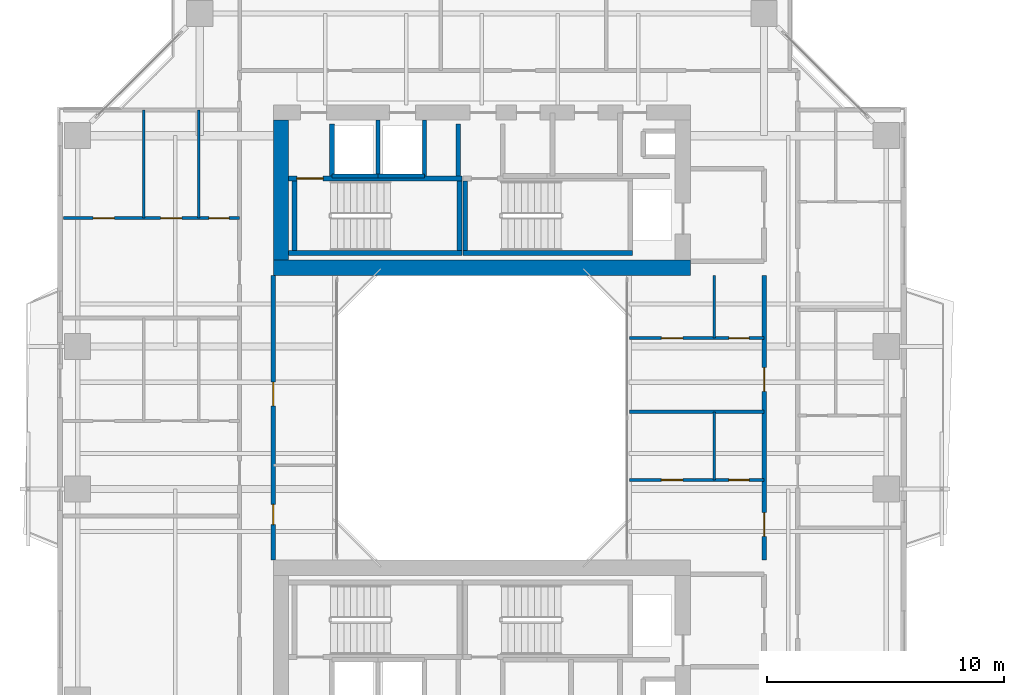
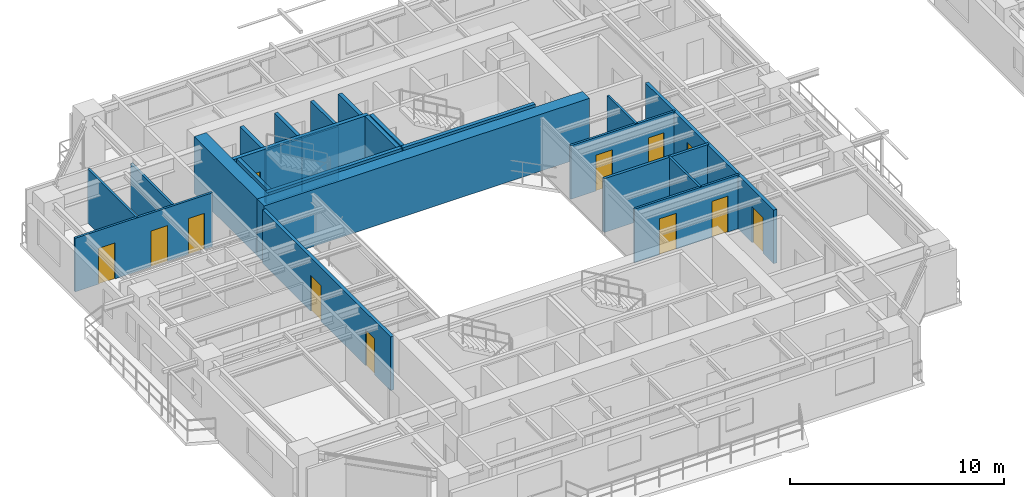
# One storey, part 15 of 24: 24 walls, 12 doors, 12 openings.
"""IFC4 building model written with IfcOpenShell, lengths in metres."""

import ifcopenshell
import ifcopenshell.guid

model = None  # the IFC model being written
_history = None  # IfcOwnerHistory: only IFC2X3 demands one
_inside = {}  # id of a spatial element -> (the spatial element, [elements in it])
_under = {}  # id of a project, library or spatial element -> (it, [spatial elements below it])
_declared = {}  # id of a project -> (the project, [libraries it declares])
_typed = {}  # id of a type object -> (the type object, [elements of that type])
_made_of = {}  # id of a material, layer set ... -> (it, [elements and type objects made of it])


def new_model(schema):
    """Start an empty IFC model of exactly this schema.

    Asked for "IFC4X3", IfcOpenShell would pick the latest addendum, in which some entities
    have other attributes; the version numbers below select the first issue.
    IFC2X3 requires an IfcOwnerHistory on every rooted entity: one is made here for all.
    """
    global model, _history
    if schema == "IFC4X3":
        model = ifcopenshell.file(schema_version=(4, 3, 0, 0))
    else:
        model = ifcopenshell.file(schema=schema)
    _inside.clear()
    _under.clear()
    _declared.clear()
    _typed.clear()
    _made_of.clear()
    _history = None
    if model.schema == "IFC2X3":
        org = make("IfcOrganization", Name="unknown")
        user = make(
            "IfcPersonAndOrganization",
            ThePerson=make("IfcPerson", FamilyName="unknown"),
            TheOrganization=org,
        )
        app = make(
            "IfcApplication",
            ApplicationDeveloper=org,
            Version="unknown",
            ApplicationFullName="unknown",
            ApplicationIdentifier="unknown",
        )
        _history = make(
            "IfcOwnerHistory",
            OwningUser=user,
            OwningApplication=app,
            ChangeAction="ADDED",
            CreationDate=0,
        )
    return model


def make(cls, **values):
    """One entity of the class cls with the attributes given. An attribute that is None is left unset."""
    return model.create_entity(
        cls, **{name: value for name, value in values.items() if value is not None}
    )


def rooted(cls, **values):
    """An entity with a GlobalId (a new one), such as an element, a storey or a relation."""
    return make(cls, GlobalId=ifcopenshell.guid.new(), OwnerHistory=_history, **values)


def si_unit(unit_type, name, prefix=None):
    """IfcSIUnit, for example si_unit("LENGTHUNIT", "METRE", prefix="MILLI")."""
    return make("IfcSIUnit", UnitType=unit_type, Prefix=prefix, Name=name)


def assignment(units):
    """IfcUnitAssignment: the units of a project."""
    return None if units is None else make("IfcUnitAssignment", Units=units)


def point(xyz):
    """IfcCartesianPoint."""
    return None if xyz is None else make("IfcCartesianPoint", Coordinates=xyz)


def direction(xyz):
    """IfcDirection."""
    return None if xyz is None else make("IfcDirection", DirectionRatios=xyz)


def frame(location, z_axis=None, x_axis=None):
    """IfcAxis2Placement3D, a coordinate frame: its origin and axes. An axis left out is left unset."""
    return make(
        "IfcAxis2Placement3D",
        Location=point(location),
        Axis=direction(z_axis),
        RefDirection=direction(x_axis),
    )


def frame_2d(location, x_axis=None):
    """IfcAxis2Placement2D, a coordinate frame in the plane: its origin and x axis."""
    return make(
        "IfcAxis2Placement2D", Location=point(location), RefDirection=direction(x_axis)
    )


def origin():
    """The frame at (0, 0, 0) with its axes left unset."""
    return frame((0.0, 0.0, 0.0))


def place(relative_to, where):
    """IfcLocalPlacement: puts the frame where relative to a parent placement (None: the world)."""
    return make(
        "IfcLocalPlacement", PlacementRelTo=relative_to, RelativePlacement=where
    )


def context(
    kind, dimensions, precision=None, world=None, true_north=None, identifier=None
):
    """IfcGeometricRepresentationContext, for example the 3D "Model" context."""
    return make(
        "IfcGeometricRepresentationContext",
        ContextIdentifier=identifier,
        ContextType=kind,
        CoordinateSpaceDimension=dimensions,
        Precision=precision,
        WorldCoordinateSystem=world,
        TrueNorth=true_north,
    )


def subcontext(parent, identifier, kind, view, scale=None):
    """IfcGeometricRepresentationSubContext, for example "Body" below "Model"."""
    return make(
        "IfcGeometricRepresentationSubContext",
        ContextIdentifier=identifier,
        ContextType=kind,
        ParentContext=parent,
        TargetScale=scale,
        TargetView=view,
    )


def project(units=None, contexts=None):
    """IfcProject with its units and contexts."""
    return rooted(
        "IfcProject",
        Name="project",
        RepresentationContexts=contexts,
        UnitsInContext=assignment(units),
    )


def spatial(cls, under=None, at=None, **own):
    """A site, building, storey or space (cls), placed at a placement, below another one or the project."""
    s = rooted(cls, ObjectPlacement=at, **own)
    if under is not None:
        _under.setdefault(under.id(), (under, []))[1].append(s)
    return s


def profile(cls, at=None, kind="AREA", **sizes):
    """A parametric profile (cls). Its sizes go by their IFC names, for example OverallWidth=200.0."""
    return make(cls, ProfileType=kind, Position=at, **sizes)


def rectangle(**sizes):
    """IfcRectangleProfileDef."""
    return profile("IfcRectangleProfileDef", **sizes)


def extrude(swept, where, along, depth):
    """IfcExtrudedAreaSolid: the profile swept, set in the frame where, extruded along a direction by depth."""
    return make(
        "IfcExtrudedAreaSolid",
        SweptArea=swept,
        Position=where,
        ExtrudedDirection=direction(along),
        Depth=depth,
    )


def shape(context_of_items, identifier, shape_type, items):
    """IfcShapeRepresentation: the items that make up one representation, for example the "Body"."""
    return make(
        "IfcShapeRepresentation",
        ContextOfItems=context_of_items,
        RepresentationIdentifier=identifier,
        RepresentationType=shape_type,
        Items=items,
    )


def source(mapping_origin, context_of_items, identifier, shape_type, items):
    """IfcRepresentationMap: a shape defined once, which mapped items show again and again."""
    return make(
        "IfcRepresentationMap",
        MappingOrigin=mapping_origin,
        MappedRepresentation=shape(context_of_items, identifier, shape_type, items),
    )


def transform(
    local_origin,
    x_axis=None,
    y_axis=None,
    z_axis=None,
    scale=None,
    scale2=None,
    scale3=None,
    uniform=True,
):
    """IfcCartesianTransformationOperator3D, or its non-uniform kind. x_axis, y_axis, z_axis: its Axis1, 2, 3."""
    if uniform:
        return make(
            "IfcCartesianTransformationOperator3D",
            Axis1=direction(x_axis),
            Axis2=direction(y_axis),
            LocalOrigin=point(local_origin),
            Scale=scale,
            Axis3=direction(z_axis),
        )
    return make(
        "IfcCartesianTransformationOperator3DnonUniform",
        Axis1=direction(x_axis),
        Axis2=direction(y_axis),
        LocalOrigin=point(local_origin),
        Scale=scale,
        Axis3=direction(z_axis),
        Scale2=scale2,
        Scale3=scale3,
    )


def mapped(mapping_source, mapping_target):
    """IfcMappedItem: shows the shape of a source again, moved by a transform."""
    return make(
        "IfcMappedItem", MappingSource=mapping_source, MappingTarget=mapping_target
    )


def material(Name=None, Category=None):
    """IfcMaterial."""
    return make("IfcMaterial", Name=Name, Category=Category)


def layer(
    of_material, thickness, ventilated=None, Name=None, Category=None, Priority=None
):
    """IfcMaterialLayer: one layer of a wall or slab, of a material (None: an air gap)."""
    return make(
        "IfcMaterialLayer",
        Material=of_material,
        LayerThickness=thickness,
        IsVentilated=ventilated,
        Name=Name,
        Category=Category,
        Priority=Priority,
    )


def layer_set(layers, Name=None):
    """IfcMaterialLayerSet."""
    return make("IfcMaterialLayerSet", MaterialLayers=layers, LayerSetName=Name)


def made_of(thing, what):
    """Note that an element or type object is made of a material, layer set ...; save() writes the relation."""
    if what is not None:
        _made_of.setdefault(what.id(), (what, []))[1].append(thing)
    return thing


def type_object(cls, material=None, **own):
    """A type object (cls), such as IfcWallType, which elements share."""
    return made_of(rooted(cls, **own), material)


def element(
    cls,
    number,
    at=None,
    inside=None,
    cuts=None,
    type_object=None,
    material=None,
    context=None,
    identifier="Body",
    shape_type=None,
    held_by="IfcProductDefinitionShape",
    body=None,
    shapes=None,
    **own,
):
    """One element of the class cls, such as IfcWall. Its Tag is "e" and its number.

    at: its placement. inside: the storey or other place that contains it. cuts: it is an
    opening in that element (IfcRelVoidsElement). A single representation is given by context,
    identifier, shape_type and body (its items); several are given by shapes. held_by: the class
    of the entity that holds the representations. save() writes the other relations.
    """
    e = rooted(cls, Tag="e%d" % number, ObjectPlacement=at, **own)
    if body is not None:
        shapes = [shape(context, identifier, shape_type, body)]
    if shapes is not None:
        e.Representation = make(held_by, Representations=shapes)
    if inside is not None:
        _inside.setdefault(inside.id(), (inside, []))[1].append(e)
    if cuts is not None:
        rooted(
            "IfcRelVoidsElement", RelatingBuildingElement=cuts, RelatedOpeningElement=e
        )
    if type_object is not None:
        _typed.setdefault(type_object.id(), (type_object, []))[1].append(e)
    return made_of(e, material)


def fill(opening, filler):
    """IfcRelFillsElement: the door or window that sits in an opening."""
    return rooted(
        "IfcRelFillsElement",
        RelatingOpeningElement=opening,
        RelatedBuildingElement=filler,
    )


def aggregate(whole, parts):
    """IfcRelAggregates: a whole, such as a stair, and the parts it consists of."""
    return rooted("IfcRelAggregates", RelatingObject=whole, RelatedObjects=parts)


def save(model, path):
    """Write the relations noted so far, then the file.

    IfcRelAggregates (storeys below a building ...), IfcRelContainedInSpatialStructure (elements
    in a storey), IfcRelDefinesByType, IfcRelAssociatesMaterial and IfcRelDeclares: one each for
    every whole, place, type object, material and project.
    """
    for whole, parts in _under.values():
        aggregate(whole, parts)
    for where, things in _inside.values():
        rooted(
            "IfcRelContainedInSpatialStructure",
            RelatedElements=things,
            RelatingStructure=where,
        )
    for kind, things in _typed.values():
        rooted("IfcRelDefinesByType", RelatedObjects=things, RelatingType=kind)
    for what, things in _made_of.values():
        rooted("IfcRelAssociatesMaterial", RelatedObjects=things, RelatingMaterial=what)
    for by, libraries in _declared.values():
        rooted("IfcRelDeclares", RelatingContext=by, RelatedDefinitions=libraries)
    model.write(path)


model = new_model("IFC4")

# Units and contexts
model_context = context("Model", 3, precision=1e-05, world=origin(), true_north=direction((0.0, 1.0)))
body_context = subcontext(model_context, "Body", "Model", "MODEL_VIEW")
ifc_project = project(units=[si_unit("LENGTHUNIT", "METRE"), si_unit("AREAUNIT", "SQUARE_METRE"), si_unit("VOLUMEUNIT", "CUBIC_METRE"), si_unit("PLANEANGLEUNIT", "RADIAN"), si_unit("MASSUNIT", "GRAM", prefix="KILO"), si_unit("THERMODYNAMICTEMPERATUREUNIT", "KELVIN"), si_unit("POWERUNIT", "WATT")], contexts=[model_context])

# Site, building, storey
site_placement = place(None, origin())
site = spatial("IfcSite", under=ifc_project, at=site_placement, CompositionType="ELEMENT")
building_placement = place(site_placement, origin())
building = spatial("IfcBuilding", under=site, at=building_placement, Name="Qiaomeng Ring Towers", CompositionType="ELEMENT")
storey_placement = place(building_placement, frame((0.0, 0.0, 110.0)))
storey = spatial("IfcBuildingStorey", under=building, at=storey_placement, Name="L31", CompositionType="ELEMENT", Elevation=110.0)

# Walls
ifc_material_1 = material(Name="Autoclaved aerated concrete block", Category="concrete")
ifc_layer_1 = layer(ifc_material_1, 0.199951171875, Name="Autoclaved aerated concrete block")
ifc_layer_set_1 = layer_set([ifc_layer_1], Name="Autoclaved aerated concrete block")
wall_type_1 = type_object("IfcWallType", Name="ARC-WL-PW1", PredefinedType="PARTITIONING", material=ifc_layer_set_1)
for number, where, z_axis, x_axis, name in (
    (1, (12.679931640625, 33.18994140625, 0.0), (0.0, 0.0, 1.0), (0.0, 1.0, 0.0), "L31 Interior Wall PW1"),
    (2, (18.0, 33.18994140625, 0.0), (0.0, 0.0, 1.0), (0.0, 1.0, 0.0), "L31 Interior Wall PW1"),
):
    element("IfcWall", number, at=place(storey_placement, frame(where, z_axis=z_axis, x_axis=x_axis)), inside=storey, type_object=wall_type_1, Name=name, PredefinedType="PARTITIONING", context=body_context, shape_type="SweptSolid", body=[
        extrude(rectangle(XDim=2.2099609375, YDim=0.199951171875, at=frame_2d((1.10498046875, 0.0))), origin(), (0.0, 0.0, 1.0), 3.070068359375),
    ])

# Wall, openings, doors
ifc_layer_2 = layer(ifc_material_1, 0.179931640625, Name="Autoclaved aerated concrete block")
ifc_layer_set_2 = layer_set([ifc_layer_2], Name="Autoclaved aerated concrete block")
wall_type_2 = type_object("IfcWallType", Name="ARC-WL-PW2", PredefinedType="PARTITIONING", material=ifc_layer_set_2)
wall_1_placement = place(storey_placement, frame((10.199951171875, 17.0, 0.0), z_axis=(0.0, 0.0, 1.0), x_axis=(0.0, 1.0, 0.0)))
wall_1 = element("IfcWall", 3, at=wall_1_placement, inside=storey, type_object=wall_type_2, Name="L31 Interior Wall PW2", PredefinedType="PARTITIONING", context=body_context, shape_type="SweptSolid", body=[
    extrude(rectangle(XDim=12.0, YDim=0.179931640625, at=frame_2d((6.0, 0.0))), origin(), (0.0, 0.0, 1.0), 3.070068359375),
])
opening_1_placement = place(wall_1_placement, frame((1.5, 0.0, 0.0)))
opening_1 = element("IfcOpeningElement", 4, at=opening_1_placement, cuts=wall_1, Name="Opening ID2", PredefinedType="OPENING", context=body_context, shape_type="SweptSolid", body=[
    extrude(rectangle(XDim=0.85009765625, YDim=2.050048828125, at=frame_2d((0.425048828125, 1.02490234375))), frame((0.0, 0.099853515625, 0.0), z_axis=(0.0, -1.0, 0.0), x_axis=(1.0, 0.0, 0.0)), (0.0, 0.0, 1.0), 0.199951171875),
])
opening_2_placement = place(wall_1_placement, frame((6.5, 0.0, 0.0)))
opening_2 = element("IfcOpeningElement", 5, at=opening_2_placement, cuts=wall_1, Name="Opening FD4", PredefinedType="OPENING", context=body_context, shape_type="SweptSolid", body=[
    extrude(rectangle(XDim=1.0, YDim=2.050048828125, at=frame_2d((0.5, 1.02490234375))), frame((0.0, 0.099853515625, 0.0), z_axis=(0.0, -1.0, 0.0), x_axis=(1.0, 0.0, 0.0)), (0.0, 0.0, 1.0), 0.199951171875),
])
ifc_material_2 = material(Name="Engineered fire-rated oak timber", Category="wood")
door_type_1 = type_object("IfcDoorType", Name="ARC-DR-FD4", OperationType="NOTDEFINED", PredefinedType="DOOR", material=ifc_material_2)
shared_shape_1 = source(origin(), body_context, "Body", "SweptSolid", [
    extrude(rectangle(XDim=1.0, YDim=2.050048828125, at=frame_2d((0.5, 1.02490234375))), frame((0.0, 0.02490234375, 0.0), z_axis=(0.0, -1.0, 0.0), x_axis=(1.0, 0.0, 0.0)), (0.0, 0.0, 1.0), 0.050048828125),
])
door_1_placement = place(opening_2_placement, origin())
door_1 = element("IfcDoor", 6, at=door_1_placement, inside=storey, type_object=door_type_1, Name="L31 Door FD4", OperationType="SINGLE_SWING_RIGHT", OverallHeight=2.050048828125, OverallWidth=1.0, PredefinedType="DOOR", context=body_context, shape_type="MappedRepresentation", body=[
    mapped(shared_shape_1, transform((0.0, 0.0, 0.0), x_axis=(1.0, 0.0, 0.0), y_axis=(0.0, 1.0, 0.0), z_axis=(0.0, 0.0, 1.0), scale=1.0)),
])
fill(opening_2, door_1)
ifc_material_3 = material(Name="Moisture-resistant engineered timber", Category="wood")
door_type_2 = type_object("IfcDoorType", Name="ARC-DR-ID2", OperationType="NOTDEFINED", PredefinedType="DOOR", material=ifc_material_3)
shared_shape_2 = source(origin(), body_context, "Body", "SweptSolid", [
    extrude(rectangle(XDim=0.85009765625, YDim=2.050048828125, at=frame_2d((0.425048828125, 1.02490234375))), frame((0.0, 0.02490234375, 0.0), z_axis=(0.0, -1.0, 0.0), x_axis=(1.0, 0.0, 0.0)), (0.0, 0.0, 1.0), 0.050048828125),
])
door_2_placement = place(opening_1_placement, origin())
door_2 = element("IfcDoor", 7, at=door_2_placement, inside=storey, type_object=door_type_2, Name="L31 Door ID2", OperationType="SINGLE_SWING_LEFT", OverallHeight=2.050048828125, OverallWidth=0.85009765625, PredefinedType="DOOR", context=body_context, shape_type="MappedRepresentation", body=[
    mapped(shared_shape_2, transform((0.0, 0.0, 0.0), x_axis=(1.0, 0.0, 0.0), y_axis=(0.0, 1.0, 0.0), z_axis=(0.0, 0.0, 1.0), scale=1.0)),
])
fill(opening_1, door_2)

wall_2_placement = place(storey_placement, frame((30.89990234375, 17.0, 0.0), z_axis=(0.0, 0.0, 1.0), x_axis=(0.0, 1.0, 0.0)))
wall_2 = element("IfcWall", 8, at=wall_2_placement, inside=storey, type_object=wall_type_2, Name="L31 Interior Wall PW2", PredefinedType="PARTITIONING", context=body_context, shape_type="SweptSolid", body=[
    extrude(rectangle(XDim=12.0, YDim=0.179931640625, at=frame_2d((6.0, 0.0))), origin(), (0.0, 0.0, 1.0), 3.070068359375),
])
opening_3_placement = place(wall_2_placement, frame((1.0, 0.0, 0.0)))
opening_3 = element("IfcOpeningElement", 9, at=opening_3_placement, cuts=wall_2, Name="Opening FD4", PredefinedType="OPENING", context=body_context, shape_type="SweptSolid", body=[
    extrude(rectangle(XDim=1.0, YDim=2.050048828125, at=frame_2d((0.5, 1.02490234375))), frame((0.0, 0.099853515625, 0.0), z_axis=(0.0, -1.0, 0.0), x_axis=(1.0, 0.0, 0.0)), (0.0, 0.0, 1.0), 0.199951171875),
])
opening_4_placement = place(wall_2_placement, frame((7.114990234375, 0.0, 0.0)))
opening_4 = element("IfcOpeningElement", 10, at=opening_4_placement, cuts=wall_2, Name="Opening FD4", PredefinedType="OPENING", context=body_context, shape_type="SweptSolid", body=[
    extrude(rectangle(XDim=1.0, YDim=2.050048828125, at=frame_2d((0.5, 1.02490234375))), frame((0.0, 0.099853515625, 0.0), z_axis=(0.0, -1.0, 0.0), x_axis=(1.0, 0.0, 0.0)), (0.0, 0.0, 1.0), 0.199951171875),
])
door_3_placement = place(opening_3_placement, origin())
door_3 = element("IfcDoor", 11, at=door_3_placement, inside=storey, type_object=door_type_1, Name="L31 Door FD4", OperationType="SINGLE_SWING_RIGHT", OverallHeight=2.050048828125, OverallWidth=1.0, PredefinedType="DOOR", context=body_context, shape_type="MappedRepresentation", body=[
    mapped(shared_shape_1, transform((0.0, 0.0, 0.0), x_axis=(1.0, 0.0, 0.0), y_axis=(0.0, 1.0, 0.0), z_axis=(0.0, 0.0, 1.0), scale=1.0)),
])
fill(opening_3, door_3)
door_4_placement = place(opening_4_placement, origin())
door_4 = element("IfcDoor", 12, at=door_4_placement, inside=storey, type_object=door_type_1, Name="L31 Door FD4", OperationType="SINGLE_SWING_LEFT", OverallHeight=2.050048828125, OverallWidth=1.0, PredefinedType="DOOR", context=body_context, shape_type="MappedRepresentation", body=[
    mapped(shared_shape_1, transform((0.0, 0.0, 0.0), x_axis=(1.0, 0.0, 0.0), y_axis=(0.0, 1.0, 0.0), z_axis=(0.0, 0.0, 1.0), scale=1.0)),
])
fill(opening_4, door_4)

# Wall
ifc_material_4 = material(Name="Gypsum fireboard steel-stud partition", Category="steel")
ifc_layer_3 = layer(ifc_material_4, 0.14990234375, Name="Gypsum fireboard steel-stud partition")
ifc_layer_set_3 = layer_set([ifc_layer_3], Name="Gypsum fireboard steel-stud partition")
wall_type_3 = type_object("IfcWallType", Name="ARC-WL-PW3", PredefinedType="PARTITIONING", material=ifc_layer_set_3)
wall_3_placement = place(storey_placement, frame((25.219970703125, 23.25, 0.0), z_axis=(0.0, 0.0, 1.0), x_axis=(1.0, 0.0, 0.0)))
element("IfcWall", 13, at=wall_3_placement, inside=storey, type_object=wall_type_3, Name="L31 Interior Wall PW3", PredefinedType="PARTITIONING", context=body_context, shape_type="SweptSolid", body=[
    extrude(rectangle(XDim=5.679931640625, YDim=0.14990234375, at=frame_2d((2.83984375, 0.0))), origin(), (0.0, 0.0, 1.0), 3.070068359375),
])

# Wall, openings, doors
ifc_material_5 = material(Name="Moisture-resistant gypsum steel-stud partition", Category="steel")
ifc_layer_4 = layer(ifc_material_5, 0.1201171875, Name="Moisture-resistant gypsum steel-stud partition")
ifc_layer_set_4 = layer_set([ifc_layer_4], Name="Moisture-resistant gypsum steel-stud partition")
wall_type_4 = type_object("IfcWallType", Name="ARC-WL-PW4", PredefinedType="PLUMBINGWALL", material=ifc_layer_set_4)
wall_4_placement = place(storey_placement, frame((1.35009765625, 31.419921875, 0.0), z_axis=(0.0, 0.0, 1.0), x_axis=(1.0, 0.0, 0.0)))
wall_4 = element("IfcWall", 14, at=wall_4_placement, inside=storey, type_object=wall_type_4, Name="L31 Interior Wall PW4", PredefinedType="PLUMBINGWALL", context=body_context, shape_type="SweptSolid", body=[
    extrude(rectangle(XDim=7.429931640625, YDim=0.1201171875, at=frame_2d((3.71484375, 0.0))), origin(), (0.0, 0.0, 1.0), 3.070068359375),
])
opening_5_placement = place(wall_4_placement, frame((1.2548828125, 0.0, 0.0)))
opening_5 = element("IfcOpeningElement", 15, at=opening_5_placement, cuts=wall_4, Name="Opening ID1", PredefinedType="OPENING", context=body_context, shape_type="SweptSolid", body=[
    extrude(rectangle(XDim=0.89990234375, YDim=2.050048828125, at=frame_2d((0.449951171875, 1.02490234375))), frame((0.0, 0.070068359375, 0.0), z_axis=(0.0, -1.0, 0.0), x_axis=(1.0, 0.0, 0.0)), (0.0, 0.0, 1.0), 0.14013671875),
])
opening_6_placement = place(wall_4_placement, frame((4.10009765625, 0.0, 0.0)))
opening_6 = element("IfcOpeningElement", 16, at=opening_6_placement, cuts=wall_4, Name="Opening ID1", PredefinedType="OPENING", context=body_context, shape_type="SweptSolid", body=[
    extrude(rectangle(XDim=0.89990234375, YDim=2.050048828125, at=frame_2d((0.449951171875, 1.02490234375))), frame((0.0, 0.070068359375, 0.0), z_axis=(0.0, -1.0, 0.0), x_axis=(1.0, 0.0, 0.0)), (0.0, 0.0, 1.0), 0.14013671875),
])
opening_7_placement = place(wall_4_placement, frame((6.135009765625, 0.0, 0.0)))
opening_7 = element("IfcOpeningElement", 17, at=opening_7_placement, cuts=wall_4, Name="Opening ID2", PredefinedType="OPENING", context=body_context, shape_type="SweptSolid", body=[
    extrude(rectangle(XDim=0.85009765625, YDim=2.050048828125, at=frame_2d((0.425048828125, 1.02490234375))), frame((0.0, 0.070068359375, 0.0), z_axis=(0.0, -1.0, 0.0), x_axis=(1.0, 0.0, 0.0)), (0.0, 0.0, 1.0), 0.14013671875),
])
door_5_placement = place(opening_7_placement, origin())
door_5 = element("IfcDoor", 18, at=door_5_placement, inside=storey, type_object=door_type_2, Name="L31 Door ID2", OperationType="SINGLE_SWING_LEFT", OverallHeight=2.050048828125, OverallWidth=0.85009765625, PredefinedType="DOOR", context=body_context, shape_type="MappedRepresentation", body=[
    mapped(shared_shape_2, transform((0.0, 0.0, 0.0), x_axis=(1.0, 0.0, 0.0), y_axis=(0.0, 1.0, 0.0), z_axis=(0.0, 0.0, 1.0), scale=1.0)),
])
fill(opening_7, door_5)
ifc_material_6 = material(Name="Engineered oak timber", Category="wood")
door_type_3 = type_object("IfcDoorType", Name="ARC-DR-ID1", OperationType="NOTDEFINED", PredefinedType="DOOR", material=ifc_material_6)
shared_shape_3 = source(origin(), body_context, "Body", "SweptSolid", [
    extrude(rectangle(XDim=0.89990234375, YDim=2.050048828125, at=frame_2d((0.449951171875, 1.02490234375))), frame((0.0, 0.02490234375, 0.0), z_axis=(0.0, -1.0, 0.0), x_axis=(1.0, 0.0, 0.0)), (0.0, 0.0, 1.0), 0.050048828125),
])
door_6_placement = place(opening_5_placement, origin())
door_6 = element("IfcDoor", 19, at=door_6_placement, inside=storey, type_object=door_type_3, Name="L31 Door ID1", OperationType="SINGLE_SWING_LEFT", OverallHeight=2.050048828125, OverallWidth=0.89990234375, PredefinedType="DOOR", context=body_context, shape_type="MappedRepresentation", body=[
    mapped(shared_shape_3, transform((0.0, 0.0, 0.0), x_axis=(1.0, 0.0, 0.0), y_axis=(0.0, 1.0, 0.0), z_axis=(0.0, 0.0, 1.0), scale=1.0)),
])
fill(opening_5, door_6)
door_7_placement = place(opening_6_placement, origin())
door_7 = element("IfcDoor", 20, at=door_7_placement, inside=storey, type_object=door_type_3, Name="L31 Door ID1", OperationType="SINGLE_SWING_RIGHT", OverallHeight=2.050048828125, OverallWidth=0.89990234375, PredefinedType="DOOR", context=body_context, shape_type="MappedRepresentation", body=[
    mapped(shared_shape_3, transform((0.0, 0.0, 0.0), x_axis=(1.0, 0.0, 0.0), y_axis=(0.0, 1.0, 0.0), z_axis=(0.0, 0.0, 1.0), scale=1.0)),
])
fill(opening_6, door_7)

# Walls
wall_5_placement = place(storey_placement, frame((4.739990234375, 31.419921875, 0.0), z_axis=(0.0, 0.0, 1.0), x_axis=(0.0, 1.0, 0.0)))
element("IfcWall", 21, at=wall_5_placement, inside=storey, type_object=wall_type_4, Name="L31 Interior Wall PW4", PredefinedType="PLUMBINGWALL", context=body_context, shape_type="SweptSolid", body=[
    extrude(rectangle(XDim=4.56005859375, YDim=0.1201171875, at=frame_2d((2.280029296875, 0.0))), origin(), (0.0, 0.0, 1.0), 3.070068359375),
])
wall_6_placement = place(storey_placement, frame((7.06005859375, 31.419921875, 0.0), z_axis=(0.0, 0.0, 1.0), x_axis=(0.0, 1.0, 0.0)))
element("IfcWall", 22, at=wall_6_placement, inside=storey, type_object=wall_type_4, Name="L31 Interior Wall PW4", PredefinedType="PLUMBINGWALL", context=body_context, shape_type="SweptSolid", body=[
    extrude(rectangle(XDim=4.56005859375, YDim=0.1201171875, at=frame_2d((2.280029296875, 0.0))), origin(), (0.0, 0.0, 1.0), 2.576904296875),
])

# Wall, openings, doors
wall_7_placement = place(storey_placement, frame((25.219970703125, 20.3798828125, 0.0), z_axis=(0.0, 0.0, 1.0), x_axis=(1.0, 0.0, 0.0)))
wall_7 = element("IfcWall", 23, at=wall_7_placement, inside=storey, type_object=wall_type_4, Name="L31 Interior Wall PW4", PredefinedType="PLUMBINGWALL", context=body_context, shape_type="SweptSolid", body=[
    extrude(rectangle(XDim=5.679931640625, YDim=0.1201171875, at=frame_2d((2.83984375, 0.0))), origin(), (0.0, 0.0, 1.0), 3.070068359375),
])
opening_8_placement = place(wall_7_placement, frame((1.35009765625, 0.0, 0.0)))
opening_8 = element("IfcOpeningElement", 24, at=opening_8_placement, cuts=wall_7, Name="Opening ID1", PredefinedType="OPENING", context=body_context, shape_type="SweptSolid", body=[
    extrude(rectangle(XDim=0.89990234375, YDim=2.050048828125, at=frame_2d((0.449951171875, 1.02490234375))), frame((0.0, 0.070068359375, 0.0), z_axis=(0.0, -1.0, 0.0), x_axis=(1.0, 0.0, 0.0)), (0.0, 0.0, 1.0), 0.14013671875),
])
opening_9_placement = place(wall_7_placement, frame((4.195068359375, 0.0, 0.0)))
opening_9 = element("IfcOpeningElement", 25, at=opening_9_placement, cuts=wall_7, Name="Opening ID2", PredefinedType="OPENING", context=body_context, shape_type="SweptSolid", body=[
    extrude(rectangle(XDim=0.85009765625, YDim=2.050048828125, at=frame_2d((0.425048828125, 1.02490234375))), frame((0.0, 0.070068359375, 0.0), z_axis=(0.0, -1.0, 0.0), x_axis=(1.0, 0.0, 0.0)), (0.0, 0.0, 1.0), 0.14013671875),
])
door_8_placement = place(opening_9_placement, origin())
door_8 = element("IfcDoor", 26, at=door_8_placement, inside=storey, type_object=door_type_2, Name="L31 Door ID2", OperationType="SINGLE_SWING_LEFT", OverallHeight=2.050048828125, OverallWidth=0.85009765625, PredefinedType="DOOR", context=body_context, shape_type="MappedRepresentation", body=[
    mapped(shared_shape_2, transform((0.0, 0.0, 0.0), x_axis=(1.0, 0.0, 0.0), y_axis=(0.0, 1.0, 0.0), z_axis=(0.0, 0.0, 1.0), scale=1.0)),
])
fill(opening_9, door_8)
door_9_placement = place(opening_8_placement, origin())
door_9 = element("IfcDoor", 27, at=door_9_placement, inside=storey, type_object=door_type_3, Name="L31 Door ID1", OperationType="SINGLE_SWING_RIGHT", OverallHeight=2.050048828125, OverallWidth=0.89990234375, PredefinedType="DOOR", context=body_context, shape_type="MappedRepresentation", body=[
    mapped(shared_shape_3, transform((0.0, 0.0, 0.0), x_axis=(1.0, 0.0, 0.0), y_axis=(0.0, 1.0, 0.0), z_axis=(0.0, 0.0, 1.0), scale=1.0)),
])
fill(opening_8, door_9)

# Wall
wall_8_placement = place(storey_placement, frame((28.800048828125, 20.3798828125, 0.0), z_axis=(0.0, 0.0, 1.0), x_axis=(0.0, 1.0, 0.0)))
element("IfcWall", 28, at=wall_8_placement, inside=storey, type_object=wall_type_4, Name="L31 Interior Wall PW4", PredefinedType="PLUMBINGWALL", context=body_context, shape_type="SweptSolid", body=[
    extrude(rectangle(XDim=2.8701171875, YDim=0.1201171875, at=frame_2d((1.43505859375, 0.0))), origin(), (0.0, 0.0, 1.0), 3.070068359375),
])

# Wall, openings, doors
wall_9_placement = place(storey_placement, frame((25.219970703125, 26.360107421875, 0.0), z_axis=(0.0, 0.0, 1.0), x_axis=(1.0, 0.0, 0.0)))
wall_9 = element("IfcWall", 29, at=wall_9_placement, inside=storey, type_object=wall_type_4, Name="L31 Interior Wall PW4", PredefinedType="PLUMBINGWALL", context=body_context, shape_type="SweptSolid", body=[
    extrude(rectangle(XDim=5.679931640625, YDim=0.1201171875, at=frame_2d((2.83984375, 0.0))), origin(), (0.0, 0.0, 1.0), 3.070068359375),
])
opening_10_placement = place(wall_9_placement, frame((1.35009765625, 0.0, 0.0)))
opening_10 = element("IfcOpeningElement", 30, at=opening_10_placement, cuts=wall_9, Name="Opening ID1", PredefinedType="OPENING", context=body_context, shape_type="SweptSolid", body=[
    extrude(rectangle(XDim=0.89990234375, YDim=2.050048828125, at=frame_2d((0.449951171875, 1.02490234375))), frame((0.0, 0.070068359375, 0.0), z_axis=(0.0, -1.0, 0.0), x_axis=(1.0, 0.0, 0.0)), (0.0, 0.0, 1.0), 0.14013671875),
])
opening_11_placement = place(wall_9_placement, frame((4.195068359375, 0.0, 0.0)))
opening_11 = element("IfcOpeningElement", 31, at=opening_11_placement, cuts=wall_9, Name="Opening ID2", PredefinedType="OPENING", context=body_context, shape_type="SweptSolid", body=[
    extrude(rectangle(XDim=0.85009765625, YDim=2.050048828125, at=frame_2d((0.425048828125, 1.02490234375))), frame((0.0, 0.070068359375, 0.0), z_axis=(0.0, -1.0, 0.0), x_axis=(1.0, 0.0, 0.0)), (0.0, 0.0, 1.0), 0.14013671875),
])
door_10_placement = place(opening_11_placement, origin())
door_10 = element("IfcDoor", 32, at=door_10_placement, inside=storey, type_object=door_type_2, Name="L31 Door ID2", OperationType="SINGLE_SWING_LEFT", OverallHeight=2.050048828125, OverallWidth=0.85009765625, PredefinedType="DOOR", context=body_context, shape_type="MappedRepresentation", body=[
    mapped(shared_shape_2, transform((0.0, 0.0, 0.0), x_axis=(1.0, 0.0, 0.0), y_axis=(0.0, 1.0, 0.0), z_axis=(0.0, 0.0, 1.0), scale=1.0)),
])
fill(opening_11, door_10)
door_11_placement = place(opening_10_placement, origin())
door_11 = element("IfcDoor", 33, at=door_11_placement, inside=storey, type_object=door_type_3, Name="L31 Door ID1", OperationType="SINGLE_SWING_RIGHT", OverallHeight=2.050048828125, OverallWidth=0.89990234375, PredefinedType="DOOR", context=body_context, shape_type="MappedRepresentation", body=[
    mapped(shared_shape_3, transform((0.0, 0.0, 0.0), x_axis=(1.0, 0.0, 0.0), y_axis=(0.0, 1.0, 0.0), z_axis=(0.0, 0.0, 1.0), scale=1.0)),
])
fill(opening_10, door_11)

# Walls
wall_10_placement = place(storey_placement, frame((28.800048828125, 26.360107421875, 0.0), z_axis=(0.0, 0.0, 1.0), x_axis=(0.0, 1.0, 0.0)))
element("IfcWall", 34, at=wall_10_placement, inside=storey, type_object=wall_type_4, Name="L31 Interior Wall PW4", PredefinedType="PLUMBINGWALL", context=body_context, shape_type="SweptSolid", body=[
    extrude(rectangle(XDim=2.639892578125, YDim=0.1201171875, at=frame_2d((1.31982421875, 0.0))), origin(), (0.0, 0.0, 1.0), 3.070068359375),
])
ifc_material_7 = material(Name="Concrete C40", Category="concrete")
ifc_layer_5 = layer(ifc_material_7, 0.199951171875, Name="Concrete C40")
ifc_layer_set_5 = layer_set([ifc_layer_5], Name="Concrete C40")
wall_type_5 = type_object("IfcWallType", Name="STR-WL-STSHAFT", PredefinedType="SHEAR", material=ifc_layer_set_5)
wall_11_placement = place(storey_placement, frame((12.679931640625, 33.199951171875, 0.0), z_axis=(0.0, 0.0, 1.0), x_axis=(1.0, 0.0, 0.0)))
element("IfcWall", 35, at=wall_11_placement, inside=storey, type_object=wall_type_5, Name="L31 Lift LP5 Shaft Back Wall", PredefinedType="SHEAR", context=body_context, shape_type="SweptSolid", body=[
    extrude(rectangle(XDim=1.940185546875, YDim=0.179931640625, at=frame_2d((0.97021484375, 0.0))), origin(), (0.0, 0.0, 1.0), 3.070068359375),
])
wall_12_placement = place(storey_placement, frame((14.6201171875, 33.199951171875, 0.0), z_axis=(0.0, 0.0, 1.0), x_axis=(0.0, 1.0, 0.0)))
element("IfcWall", 36, at=wall_12_placement, inside=storey, type_object=wall_type_5, Name="L31 Lift LP5-LP3 Shaft Divider Wall", PredefinedType="SHEAR", context=body_context, shape_type="SweptSolid", body=[
    extrude(rectangle(XDim=2.35009765625, YDim=0.179931640625, at=frame_2d((1.175048828125, 0.0))), origin(), (0.0, 0.0, 1.0), 3.070068359375),
])
wall_13_placement = place(storey_placement, frame((14.6201171875, 33.199951171875, 0.0), z_axis=(0.0, 0.0, 1.0), x_axis=(1.0, 0.0, 0.0)))
element("IfcWall", 37, at=wall_13_placement, inside=storey, type_object=wall_type_5, Name="L31 Lift LP3 Shaft Back Wall", PredefinedType="SHEAR", context=body_context, shape_type="SweptSolid", body=[
    extrude(rectangle(XDim=1.9599609375, YDim=0.179931640625, at=frame_2d((0.97998046875, 0.0))), origin(), (0.0, 0.0, 1.0), 3.070068359375),
])
wall_14_placement = place(storey_placement, frame((16.580078125, 33.199951171875, 0.0), z_axis=(0.0, 0.0, 1.0), x_axis=(0.0, 1.0, 0.0)))
element("IfcWall", 38, at=wall_14_placement, inside=storey, type_object=wall_type_5, Name="L31 Lift LP3 East Shaft Wall", PredefinedType="SHEAR", context=body_context, shape_type="SweptSolid", body=[
    extrude(rectangle(XDim=2.35009765625, YDim=0.179931640625, at=frame_2d((1.175048828125, 0.0))), origin(), (0.0, 0.0, 1.0), 3.070068359375),
])
wall_15_placement = place(storey_placement, frame((10.85009765625, 29.949951171875, 0.0), z_axis=(0.0, 0.0, 1.0), x_axis=(1.0, 0.0, 0.0)))
element("IfcWall", 39, at=wall_15_placement, inside=storey, type_object=wall_type_5, Name="L31 Stair ST1 South Shaft Shear Wall", PredefinedType="SHEAR", context=body_context, shape_type="SweptSolid", body=[
    extrude(rectangle(XDim=7.2998046875, YDim=0.199951171875, at=frame_2d((3.64990234375, 0.0))), origin(), (0.0, 0.0, 1.0), 3.25),
])

# Wall, opening, door
wall_16_placement = place(storey_placement, frame((10.85009765625, 33.090087890625, 0.0), z_axis=(0.0, 0.0, 1.0), x_axis=(1.0, 0.0, 0.0)))
wall_16 = element("IfcWall", 40, at=wall_16_placement, inside=storey, type_object=wall_type_5, Name="L31 Stair ST1 North Shaft Shear Wall", PredefinedType="SHEAR", context=body_context, shape_type="SweptSolid", body=[
    extrude(rectangle(XDim=7.2998046875, YDim=0.199951171875, at=frame_2d((3.64990234375, 0.0))), origin(), (0.0, 0.0, 1.0), 3.25),
])
opening_12_placement = place(wall_16_placement, frame((0.35009765625, 0.0, 0.0)))
opening_12 = element("IfcOpeningElement", 41, at=opening_12_placement, cuts=wall_16, Name="Opening FD3", PredefinedType="OPENING", context=body_context, shape_type="SweptSolid", body=[
    extrude(rectangle(XDim=1.10009765625, YDim=2.050048828125, at=frame_2d((0.550048828125, 1.02490234375))), frame((0.0, 0.10986328125, 0.0), z_axis=(0.0, -1.0, 0.0), x_axis=(1.0, 0.0, 0.0)), (0.0, 0.0, 1.0), 0.219970703125),
])
ifc_material_8 = material(Name="Galvanised steel", Category="steel")
door_type_4 = type_object("IfcDoorType", Name="ARC-DR-FD3", OperationType="NOTDEFINED", PredefinedType="DOOR", material=ifc_material_8)
shared_shape_4 = source(origin(), body_context, "Body", "SweptSolid", [
    extrude(rectangle(XDim=1.10009765625, YDim=2.050048828125, at=frame_2d((0.550048828125, 1.02490234375))), frame((0.0, 0.02490234375, 0.0), z_axis=(0.0, -1.0, 0.0), x_axis=(1.0, 0.0, 0.0)), (0.0, 0.0, 1.0), 0.050048828125),
])
door_12_placement = place(opening_12_placement, origin())
door_12 = element("IfcDoor", 42, at=door_12_placement, inside=storey, type_object=door_type_4, Name="L31 Stair ST1 Exit Door", OperationType="SINGLE_SWING_RIGHT", OverallHeight=2.050048828125, OverallWidth=1.10009765625, PredefinedType="DOOR", context=body_context, shape_type="MappedRepresentation", body=[
    mapped(shared_shape_4, transform((0.0, 0.0, 0.0), x_axis=(1.0, 0.0, 0.0), y_axis=(0.0, 1.0, 0.0), z_axis=(0.0, 0.0, 1.0), scale=1.0)),
])
fill(opening_12, door_12)

# Walls
for number, where, z_axis, x_axis, name in (
    (43, (11.10009765625, 30.050048828125, 0.0), (0.0, 0.0, 1.0), (0.0, 1.0, 0.0), "L31 Stair ST1 West Shaft Shear Wall"),
    (44, (18.050048828125, 30.050048828125, 0.0), (0.0, 0.0, 1.0), (0.0, 1.0, 0.0), "L31 Stair ST1 East Shaft Shear Wall"),
):
    element("IfcWall", number, at=place(storey_placement, frame(where, z_axis=z_axis, x_axis=x_axis)), inside=storey, type_object=wall_type_5, Name=name, PredefinedType="SHEAR", context=body_context, shape_type="SweptSolid", body=[
        extrude(rectangle(XDim=2.93994140625, YDim=0.199951171875, at=frame_2d((1.469970703125, 0.0))), origin(), (0.0, 0.0, 1.0), 3.25),
    ])
wall_17_placement = place(storey_placement, frame((18.199951171875, 29.949951171875, 0.0), z_axis=(0.0, 0.0, 1.0), x_axis=(1.0, 0.0, 0.0)))
element("IfcWall", 45, at=wall_17_placement, inside=storey, type_object=wall_type_5, Name="L31 Stair ST2 South Shaft Shear Wall", PredefinedType="SHEAR", context=body_context, shape_type="SweptSolid", body=[
    extrude(rectangle(XDim=7.150146484375, YDim=0.199951171875, at=frame_2d((3.5751953125, 0.0))), origin(), (0.0, 0.0, 1.0), 3.25),
])
wall_18_placement = place(storey_placement, frame((18.300048828125, 30.050048828125, 0.0), z_axis=(0.0, 0.0, 1.0), x_axis=(0.0, 1.0, 0.0)))
element("IfcWall", 46, at=wall_18_placement, inside=storey, type_object=wall_type_5, Name="L31 Stair ST2 West Shaft Shear Wall", PredefinedType="SHEAR", context=body_context, shape_type="SweptSolid", body=[
    extrude(rectangle(XDim=2.93994140625, YDim=0.199951171875, at=frame_2d((1.469970703125, 0.0))), origin(), (0.0, 0.0, 1.0), 3.25),
])
ifc_material_9 = material(Name="Concrete C55", Category="concrete")
ifc_layer_6 = layer(ifc_material_9, 0.64990234375, Name="Concrete C55")
ifc_layer_set_6 = layer_set([ifc_layer_6], Name="Concrete C55")
wall_type_6 = type_object("IfcWallType", Name="STR-WL-SW2A", PredefinedType="SHEAR", material=ifc_layer_set_6)
wall_19_placement = place(storey_placement, frame((10.199951171875, 29.324951171875, 0.0), z_axis=(0.0, 0.0, 1.0), x_axis=(1.0, 0.0, 0.0)))
element("IfcWall", 47, at=wall_19_placement, inside=storey, type_object=wall_type_6, Name="L31 T1NC south core shear wall", PredefinedType="SHEAR", context=body_context, shape_type="SweptSolid", body=[
    extrude(rectangle(XDim=17.60009765625, YDim=0.64990234375, at=frame_2d((8.800048828125, 0.0))), origin(), (0.0, 0.0, 1.0), 3.25),
])
wall_20_placement = place(storey_placement, frame((10.52490234375, 29.64990234375, 0.0), z_axis=(0.0, 0.0, 1.0), x_axis=(0.0, 1.0, 0.0)))
element("IfcWall", 48, at=wall_20_placement, inside=storey, type_object=wall_type_6, Name="L31 T1NC west core shear wall", PredefinedType="SHEAR", context=body_context, shape_type="SweptSolid", body=[
    extrude(rectangle(XDim=5.900146484375, YDim=0.64990234375, at=frame_2d((2.9501953125, 0.0))), origin(), (0.0, 0.0, 1.0), 3.25),
])

save(model, "model.ifc")
